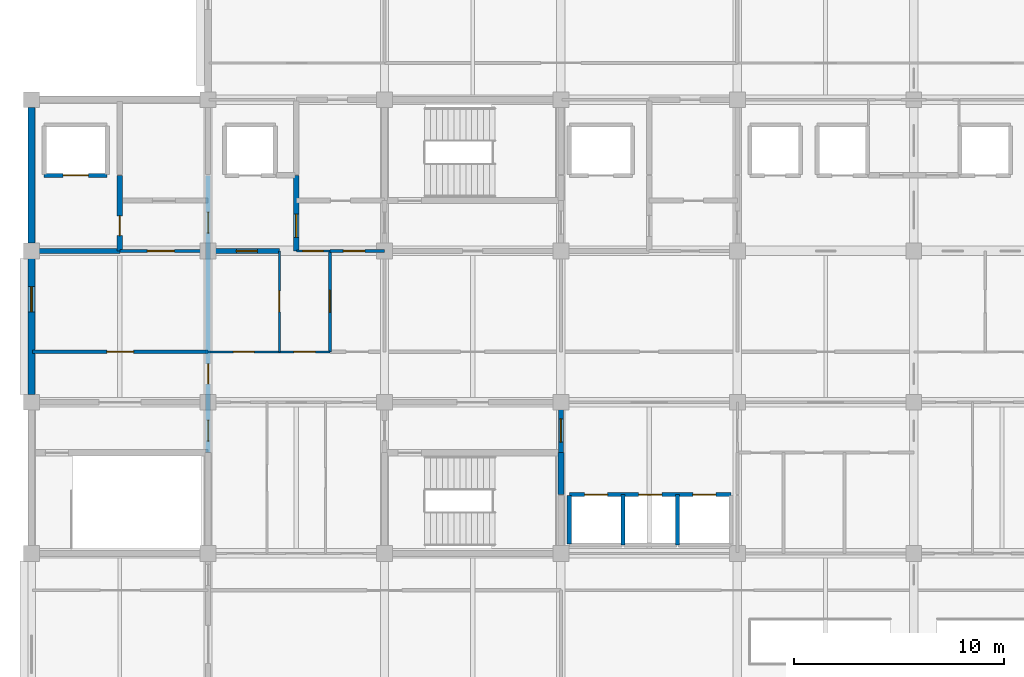
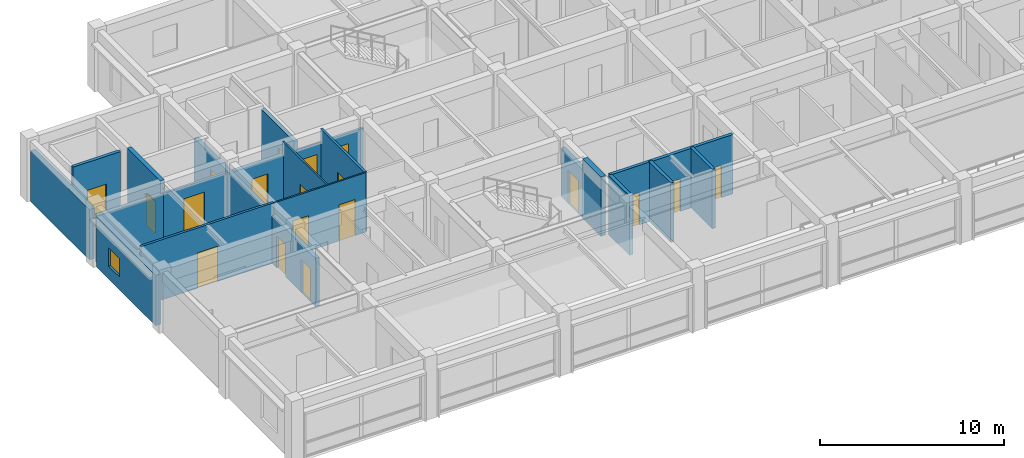
# One storey, part 12 of 23: 21 walls, 19 doors, 1 window, 20 openings.
"""IFC4 building model written with IfcOpenShell, lengths in metres."""

import ifcopenshell
import ifcopenshell.guid

model = None  # the IFC model being written
_history = None  # IfcOwnerHistory: only IFC2X3 demands one
_inside = {}  # id of a spatial element -> (the spatial element, [elements in it])
_under = {}  # id of a project, library or spatial element -> (it, [spatial elements below it])
_declared = {}  # id of a project -> (the project, [libraries it declares])
_typed = {}  # id of a type object -> (the type object, [elements of that type])
_made_of = {}  # id of a material, layer set ... -> (it, [elements and type objects made of it])


def new_model(schema):
    """Start an empty IFC model of exactly this schema.

    Asked for "IFC4X3", IfcOpenShell would pick the latest addendum, in which some entities
    have other attributes; the version numbers below select the first issue.
    IFC2X3 requires an IfcOwnerHistory on every rooted entity: one is made here for all.
    """
    global model, _history
    if schema == "IFC4X3":
        model = ifcopenshell.file(schema_version=(4, 3, 0, 0))
    else:
        model = ifcopenshell.file(schema=schema)
    _inside.clear()
    _under.clear()
    _declared.clear()
    _typed.clear()
    _made_of.clear()
    _history = None
    if model.schema == "IFC2X3":
        org = make("IfcOrganization", Name="unknown")
        user = make(
            "IfcPersonAndOrganization",
            ThePerson=make("IfcPerson", FamilyName="unknown"),
            TheOrganization=org,
        )
        app = make(
            "IfcApplication",
            ApplicationDeveloper=org,
            Version="unknown",
            ApplicationFullName="unknown",
            ApplicationIdentifier="unknown",
        )
        _history = make(
            "IfcOwnerHistory",
            OwningUser=user,
            OwningApplication=app,
            ChangeAction="ADDED",
            CreationDate=0,
        )
    return model


def make(cls, **values):
    """One entity of the class cls with the attributes given. An attribute that is None is left unset."""
    return model.create_entity(
        cls, **{name: value for name, value in values.items() if value is not None}
    )


def rooted(cls, **values):
    """An entity with a GlobalId (a new one), such as an element, a storey or a relation."""
    return make(cls, GlobalId=ifcopenshell.guid.new(), OwnerHistory=_history, **values)


def si_unit(unit_type, name, prefix=None):
    """IfcSIUnit, for example si_unit("LENGTHUNIT", "METRE", prefix="MILLI")."""
    return make("IfcSIUnit", UnitType=unit_type, Prefix=prefix, Name=name)


def assignment(units):
    """IfcUnitAssignment: the units of a project."""
    return None if units is None else make("IfcUnitAssignment", Units=units)


def point(xyz):
    """IfcCartesianPoint."""
    return None if xyz is None else make("IfcCartesianPoint", Coordinates=xyz)


def direction(xyz):
    """IfcDirection."""
    return None if xyz is None else make("IfcDirection", DirectionRatios=xyz)


def frame(location, z_axis=None, x_axis=None):
    """IfcAxis2Placement3D, a coordinate frame: its origin and axes. An axis left out is left unset."""
    return make(
        "IfcAxis2Placement3D",
        Location=point(location),
        Axis=direction(z_axis),
        RefDirection=direction(x_axis),
    )


def frame_2d(location, x_axis=None):
    """IfcAxis2Placement2D, a coordinate frame in the plane: its origin and x axis."""
    return make(
        "IfcAxis2Placement2D", Location=point(location), RefDirection=direction(x_axis)
    )


def origin():
    """The frame at (0, 0, 0) with its axes left unset."""
    return frame((0.0, 0.0, 0.0))


def place(relative_to, where):
    """IfcLocalPlacement: puts the frame where relative to a parent placement (None: the world)."""
    return make(
        "IfcLocalPlacement", PlacementRelTo=relative_to, RelativePlacement=where
    )


def context(
    kind, dimensions, precision=None, world=None, true_north=None, identifier=None
):
    """IfcGeometricRepresentationContext, for example the 3D "Model" context."""
    return make(
        "IfcGeometricRepresentationContext",
        ContextIdentifier=identifier,
        ContextType=kind,
        CoordinateSpaceDimension=dimensions,
        Precision=precision,
        WorldCoordinateSystem=world,
        TrueNorth=true_north,
    )


def subcontext(parent, identifier, kind, view, scale=None):
    """IfcGeometricRepresentationSubContext, for example "Body" below "Model"."""
    return make(
        "IfcGeometricRepresentationSubContext",
        ContextIdentifier=identifier,
        ContextType=kind,
        ParentContext=parent,
        TargetScale=scale,
        TargetView=view,
    )


def project(units=None, contexts=None):
    """IfcProject with its units and contexts."""
    return rooted(
        "IfcProject",
        Name="project",
        RepresentationContexts=contexts,
        UnitsInContext=assignment(units),
    )


def spatial(cls, under=None, at=None, **own):
    """A site, building, storey or space (cls), placed at a placement, below another one or the project."""
    s = rooted(cls, ObjectPlacement=at, **own)
    if under is not None:
        _under.setdefault(under.id(), (under, []))[1].append(s)
    return s


def profile(cls, at=None, kind="AREA", **sizes):
    """A parametric profile (cls). Its sizes go by their IFC names, for example OverallWidth=200.0."""
    return make(cls, ProfileType=kind, Position=at, **sizes)


def rectangle(**sizes):
    """IfcRectangleProfileDef."""
    return profile("IfcRectangleProfileDef", **sizes)


def extrude(swept, where, along, depth):
    """IfcExtrudedAreaSolid: the profile swept, set in the frame where, extruded along a direction by depth."""
    return make(
        "IfcExtrudedAreaSolid",
        SweptArea=swept,
        Position=where,
        ExtrudedDirection=direction(along),
        Depth=depth,
    )


def shape(context_of_items, identifier, shape_type, items):
    """IfcShapeRepresentation: the items that make up one representation, for example the "Body"."""
    return make(
        "IfcShapeRepresentation",
        ContextOfItems=context_of_items,
        RepresentationIdentifier=identifier,
        RepresentationType=shape_type,
        Items=items,
    )


def material(Name=None, Category=None):
    """IfcMaterial."""
    return make("IfcMaterial", Name=Name, Category=Category)


def layer(
    of_material, thickness, ventilated=None, Name=None, Category=None, Priority=None
):
    """IfcMaterialLayer: one layer of a wall or slab, of a material (None: an air gap)."""
    return make(
        "IfcMaterialLayer",
        Material=of_material,
        LayerThickness=thickness,
        IsVentilated=ventilated,
        Name=Name,
        Category=Category,
        Priority=Priority,
    )


def layer_set(layers, Name=None):
    """IfcMaterialLayerSet."""
    return make("IfcMaterialLayerSet", MaterialLayers=layers, LayerSetName=Name)


def made_of(thing, what):
    """Note that an element or type object is made of a material, layer set ...; save() writes the relation."""
    if what is not None:
        _made_of.setdefault(what.id(), (what, []))[1].append(thing)
    return thing


def type_object(cls, material=None, **own):
    """A type object (cls), such as IfcWallType, which elements share."""
    return made_of(rooted(cls, **own), material)


def element(
    cls,
    number,
    at=None,
    inside=None,
    cuts=None,
    type_object=None,
    material=None,
    context=None,
    identifier="Body",
    shape_type=None,
    held_by="IfcProductDefinitionShape",
    body=None,
    shapes=None,
    **own,
):
    """One element of the class cls, such as IfcWall. Its Tag is "e" and its number.

    at: its placement. inside: the storey or other place that contains it. cuts: it is an
    opening in that element (IfcRelVoidsElement). A single representation is given by context,
    identifier, shape_type and body (its items); several are given by shapes. held_by: the class
    of the entity that holds the representations. save() writes the other relations.
    """
    e = rooted(cls, Tag="e%d" % number, ObjectPlacement=at, **own)
    if body is not None:
        shapes = [shape(context, identifier, shape_type, body)]
    if shapes is not None:
        e.Representation = make(held_by, Representations=shapes)
    if inside is not None:
        _inside.setdefault(inside.id(), (inside, []))[1].append(e)
    if cuts is not None:
        rooted(
            "IfcRelVoidsElement", RelatingBuildingElement=cuts, RelatedOpeningElement=e
        )
    if type_object is not None:
        _typed.setdefault(type_object.id(), (type_object, []))[1].append(e)
    return made_of(e, material)


def fill(opening, filler):
    """IfcRelFillsElement: the door or window that sits in an opening."""
    return rooted(
        "IfcRelFillsElement",
        RelatingOpeningElement=opening,
        RelatedBuildingElement=filler,
    )


def aggregate(whole, parts):
    """IfcRelAggregates: a whole, such as a stair, and the parts it consists of."""
    return rooted("IfcRelAggregates", RelatingObject=whole, RelatedObjects=parts)


def save(model, path):
    """Write the relations noted so far, then the file.

    IfcRelAggregates (storeys below a building ...), IfcRelContainedInSpatialStructure (elements
    in a storey), IfcRelDefinesByType, IfcRelAssociatesMaterial and IfcRelDeclares: one each for
    every whole, place, type object, material and project.
    """
    for whole, parts in _under.values():
        aggregate(whole, parts)
    for where, things in _inside.values():
        rooted(
            "IfcRelContainedInSpatialStructure",
            RelatedElements=things,
            RelatingStructure=where,
        )
    for kind, things in _typed.values():
        rooted("IfcRelDefinesByType", RelatedObjects=things, RelatingType=kind)
    for what, things in _made_of.values():
        rooted("IfcRelAssociatesMaterial", RelatedObjects=things, RelatingMaterial=what)
    for by, libraries in _declared.values():
        rooted("IfcRelDeclares", RelatingContext=by, RelatedDefinitions=libraries)
    model.write(path)


model = new_model("IFC4")

# Units and contexts
model_context = context("Model", 3, precision=1e-05, world=origin(), true_north=direction((0.0, 1.0)))
body_context = subcontext(model_context, "Body", "Model", "MODEL_VIEW")
ifc_project = project(units=[si_unit("LENGTHUNIT", "METRE"), si_unit("AREAUNIT", "SQUARE_METRE"), si_unit("VOLUMEUNIT", "CUBIC_METRE"), si_unit("PLANEANGLEUNIT", "RADIAN"), si_unit("MASSUNIT", "GRAM", prefix="KILO")], contexts=[model_context])

# Site, building, storey
site_placement = place(None, origin())
site = spatial("IfcSite", under=ifc_project, at=site_placement, CompositionType="ELEMENT")
building_placement = place(site_placement, origin())
building = spatial("IfcBuilding", under=site, at=building_placement, Name="Chengyuan Square Courthouse", CompositionType="ELEMENT")
storey_placement = place(building_placement, frame((0.0, 0.0, 43.5)))
storey = spatial("IfcBuildingStorey", under=building, at=storey_placement, Name="L10", CompositionType="ELEMENT", Elevation=43.5)

# Wall, opening, window
ifc_material_1 = material(Name="Concrete C40", Category="concrete")
ifc_layer_1 = layer(ifc_material_1, 0.320068359375)
ifc_layer_set_1 = layer_set([ifc_layer_1], Name="Concrete C40")
wall_type_1 = type_object("IfcWallType", Name="WL-EW3", PredefinedType="STANDARD", material=ifc_layer_set_1)
wall_1_placement = place(storey_placement, frame((42.0, 93.969970703125, 0.0), z_axis=(0.0, 0.0, 1.0), x_axis=(0.0, 1.0, 0.0)))
wall_1 = element("IfcWall", 1, at=wall_1_placement, inside=storey, type_object=wall_type_1, Name="Exterior Wall WL-L10-E431", PredefinedType="STANDARD", context=body_context, shape_type="SweptSolid", body=[
    extrude(rectangle(XDim=6.4599609375, YDim=0.320068359375, at=frame_2d((3.22998046875, 0.0))), origin(), (0.0, 0.0, 1.0), 3.35009765625),
])
opening_1_placement = place(wall_1_placement, frame((3.929931640625, 0.0, 0.85009765625)))
opening_1 = element("IfcOpeningElement", 2, at=opening_1_placement, cuts=wall_1, Name="Opening WN-170", PredefinedType="OPENING", context=body_context, shape_type="SweptSolid", body=[
    extrude(rectangle(XDim=1.199951171875, YDim=1.199951171875, at=frame_2d((0.60009765625, 0.60009765625))), frame((0.0, 0.172119140625, 0.0), z_axis=(0.0, -1.0, 0.0), x_axis=(1.0, 0.0, 0.0)), (0.0, 0.0, 1.0), 0.343994140625),
])
ifc_material_2 = material(Name="Thermally Broken Aluminium Triple Low-E Window", Category="aluminium")
window_type = type_object("IfcWindowType", Name="WT-13", PartitioningType="SINGLE_PANEL", PredefinedType="WINDOW", material=ifc_material_2)
window_placement = place(opening_1_placement, origin())
window = element("IfcWindow", 3, at=window_placement, inside=storey, type_object=window_type, Name="Facade Window WN-170", OverallHeight=1.199951171875, OverallWidth=1.199951171875, PartitioningType="SINGLE_PANEL", PredefinedType="WINDOW", context=body_context, shape_type="SweptSolid", body=[
    extrude(rectangle(XDim=1.199951171875, YDim=1.199951171875, at=frame_2d((0.60009765625, 0.60009765625))), frame((0.0, 0.030029296875, 0.0), z_axis=(0.0, -1.0, 0.0), x_axis=(1.0, 0.0, 0.0)), (0.0, 0.0, 1.0), 0.06005859375),
])
fill(opening_1, window)

# Walls
wall_2_placement = place(storey_placement, frame((42.0, 101.169921875, 0.0), z_axis=(0.0, 0.0, 1.0), x_axis=(0.0, 1.0, 0.0)))
element("IfcWall", 4, at=wall_2_placement, inside=storey, type_object=wall_type_1, Name="Exterior Wall WL-L10-E433", PredefinedType="STANDARD", context=body_context, shape_type="SweptSolid", body=[
    extrude(rectangle(XDim=6.4599609375, YDim=0.320068359375, at=frame_2d((3.22998046875, 0.0))), origin(), (0.0, 0.0, 1.0), 3.35009765625),
])
ifc_layer_2 = layer(ifc_material_1, 0.25)
ifc_layer_set_2 = layer_set([ifc_layer_2], Name="Concrete C40")
wall_type_2 = type_object("IfcWallType", Name="WL-FW1", PredefinedType="STANDARD", material=ifc_layer_set_2)
wall_3_placement = place(storey_placement, frame((42.0400390625, 100.800048828125, 0.0), z_axis=(0.0, 0.0, 1.0), x_axis=(1.0, 0.0, 0.0)))
element("IfcWall", 5, at=wall_3_placement, inside=storey, type_object=wall_type_2, Name="Interior Wall WL-L10-I3337", PredefinedType="STANDARD", context=body_context, shape_type="SweptSolid", body=[
    extrude(rectangle(XDim=4.159912109375, YDim=0.25, at=frame_2d((2.080078125, 0.0))), origin(), (0.0, 0.0, 1.0), 3.14990234375),
])

# Wall, opening, door
wall_4_placement = place(storey_placement, frame((50.39990234375, 100.800048828125, 0.0), z_axis=(0.0, 0.0, 1.0), x_axis=(1.0, 0.0, 0.0)))
wall_4 = element("IfcWall", 6, at=wall_4_placement, inside=storey, type_object=wall_type_2, Name="Interior Wall WL-L10-I3339", PredefinedType="STANDARD", context=body_context, shape_type="SweptSolid", body=[
    extrude(rectangle(XDim=3.400146484375, YDim=0.25, at=frame_2d((1.7001953125, 0.0))), origin(), (0.0, 0.0, 1.0), 3.10009765625),
])
opening_2_placement = place(wall_4_placement, frame((1.347412109375, 0.0, 0.0)))
opening_2 = element("IfcOpeningElement", 7, at=opening_2_placement, cuts=wall_4, Name="Opening DR-2823", PredefinedType="OPENING", context=body_context, shape_type="SweptSolid", body=[
    extrude(rectangle(XDim=1.0, YDim=2.199951171875, at=frame_2d((0.5, 1.10009765625))), frame((0.0, 0.136962890625, 0.0), z_axis=(0.0, -1.0, 0.0), x_axis=(1.0, 0.0, 0.0)), (0.0, 0.0, 1.0), 0.27392578125),
])
ifc_material_3 = material(Name="Steel Q235B Fire Door", Category="steel")
door_type_1 = type_object("IfcDoorType", Name="DT-11", OperationType="NOTDEFINED", PredefinedType="DOOR", material=ifc_material_3)
door_1_placement = place(opening_2_placement, origin())
door_1 = element("IfcDoor", 8, at=door_1_placement, inside=storey, type_object=door_type_1, Name="Interior Door DR-2823", OperationType="SINGLE_SWING_RIGHT", OverallHeight=2.199951171875, OverallWidth=1.0, PredefinedType="DOOR", context=body_context, shape_type="SweptSolid", body=[
    extrude(rectangle(XDim=1.0, YDim=2.199951171875, at=frame_2d((0.5, 1.10009765625))), frame((0.0, 0.02490234375, 0.0), z_axis=(0.0, -1.0, 0.0), x_axis=(1.0, 0.0, 0.0)), (0.0, 0.0, 1.0), 0.050048828125),
])
fill(opening_2, door_1)

wall_5_placement = place(storey_placement, frame((46.199951171875, 100.800048828125, 0.0), z_axis=(0.0, 0.0, 1.0), x_axis=(0.0, 1.0, 0.0)))
wall_5 = element("IfcWall", 9, at=wall_5_placement, inside=storey, type_object=wall_type_2, Name="Interior Wall WL-L10-I3402", PredefinedType="STANDARD", context=body_context, shape_type="SweptSolid", body=[
    extrude(rectangle(XDim=3.599853515625, YDim=0.25, at=frame_2d((1.7998046875, 0.0))), origin(), (0.0, 0.0, 1.0), 4.0),
])
opening_3_placement = place(wall_5_placement, frame((0.72509765625, 0.0, 0.0)))
opening_3 = element("IfcOpeningElement", 10, at=opening_3_placement, cuts=wall_5, Name="Opening DR-2803", PredefinedType="OPENING", context=body_context, shape_type="SweptSolid", body=[
    extrude(rectangle(XDim=0.949951171875, YDim=2.14990234375, at=frame_2d((0.47509765625, 1.074951171875))), frame((0.0, 0.136962890625, 0.0), z_axis=(0.0, -1.0, 0.0), x_axis=(1.0, 0.0, 0.0)), (0.0, 0.0, 1.0), 0.27392578125),
])
door_type_2 = type_object("IfcDoorType", Name="DT-12", OperationType="NOTDEFINED", PredefinedType="DOOR", material=ifc_material_3)
door_2_placement = place(opening_3_placement, origin())
door_2 = element("IfcDoor", 11, at=door_2_placement, inside=storey, type_object=door_type_2, Name="Interior Door DR-2803", OperationType="SINGLE_SWING_LEFT", OverallHeight=2.14990234375, OverallWidth=0.949951171875, PredefinedType="DOOR", context=body_context, shape_type="SweptSolid", body=[
    extrude(rectangle(XDim=0.949951171875, YDim=2.14990234375, at=frame_2d((0.47509765625, 1.074951171875))), frame((0.0, 0.02490234375, 0.0), z_axis=(0.0, -1.0, 0.0), x_axis=(1.0, 0.0, 0.0)), (0.0, 0.0, 1.0), 0.050048828125),
])
fill(opening_3, door_2)

# Wall, openings, doors
wall_6_placement = place(storey_placement, frame((50.39990234375, 91.199951171875, 0.0), z_axis=(0.0, 0.0, 1.0), x_axis=(0.0, 1.0, 0.0)))
wall_6 = element("IfcWall", 12, at=wall_6_placement, inside=storey, type_object=wall_type_2, Name="Interior Wall WL-L10-I3406", PredefinedType="STANDARD", context=body_context, shape_type="SweptSolid", body=[
    extrude(rectangle(XDim=13.199951171875, YDim=0.25, at=frame_2d((6.60009765625, 0.0))), origin(), (0.0, 0.0, 1.0), 3.199951171875),
])
opening_4_placement = place(wall_6_placement, frame((0.552490234375, 0.0, 0.0)))
opening_4 = element("IfcOpeningElement", 13, at=opening_4_placement, cuts=wall_6, Name="Opening DR-2790", PredefinedType="OPENING", context=body_context, shape_type="SweptSolid", body=[
    extrude(rectangle(XDim=1.0, YDim=2.199951171875, at=frame_2d((0.5, 1.10009765625))), frame((0.0, 0.136962890625, 0.0), z_axis=(0.0, -1.0, 0.0), x_axis=(1.0, 0.0, 0.0)), (0.0, 0.0, 1.0), 0.27392578125),
])
opening_5_placement = place(wall_6_placement, frame((10.447509765625, 0.0, 0.0)))
opening_5 = element("IfcOpeningElement", 14, at=opening_5_placement, cuts=wall_6, Name="Opening DR-2805", PredefinedType="OPENING", context=body_context, shape_type="SweptSolid", body=[
    extrude(rectangle(XDim=1.0, YDim=2.199951171875, at=frame_2d((0.5, 1.10009765625))), frame((0.0, 0.136962890625, 0.0), z_axis=(0.0, -1.0, 0.0), x_axis=(1.0, 0.0, 0.0)), (0.0, 0.0, 1.0), 0.27392578125),
])
opening_6_placement = place(wall_6_placement, frame((3.2724609375, 0.0, 0.0)))
opening_6 = element("IfcOpeningElement", 15, at=opening_6_placement, cuts=wall_6, Name="Opening DR-2839", PredefinedType="OPENING", context=body_context, shape_type="SweptSolid", body=[
    extrude(rectangle(XDim=0.949951171875, YDim=2.14990234375, at=frame_2d((0.47509765625, 1.074951171875))), frame((0.0, 0.136962890625, 0.0), z_axis=(0.0, -1.0, 0.0), x_axis=(1.0, 0.0, 0.0)), (0.0, 0.0, 1.0), 0.27392578125),
])
door_3_placement = place(opening_4_placement, origin())
door_3 = element("IfcDoor", 16, at=door_3_placement, inside=storey, type_object=door_type_1, Name="Interior Door DR-2790", OperationType="SINGLE_SWING_LEFT", OverallHeight=2.199951171875, OverallWidth=1.0, PredefinedType="DOOR", context=body_context, shape_type="SweptSolid", body=[
    extrude(rectangle(XDim=1.0, YDim=2.199951171875, at=frame_2d((0.5, 1.10009765625))), frame((0.0, 0.02490234375, 0.0), z_axis=(0.0, -1.0, 0.0), x_axis=(1.0, 0.0, 0.0)), (0.0, 0.0, 1.0), 0.050048828125),
])
fill(opening_4, door_3)
door_4_placement = place(opening_5_placement, origin())
door_4 = element("IfcDoor", 17, at=door_4_placement, inside=storey, type_object=door_type_1, Name="Interior Door DR-2805", OperationType="SINGLE_SWING_LEFT", OverallHeight=2.199951171875, OverallWidth=1.0, PredefinedType="DOOR", context=body_context, shape_type="SweptSolid", body=[
    extrude(rectangle(XDim=1.0, YDim=2.199951171875, at=frame_2d((0.5, 1.10009765625))), frame((0.0, 0.02490234375, 0.0), z_axis=(0.0, -1.0, 0.0), x_axis=(1.0, 0.0, 0.0)), (0.0, 0.0, 1.0), 0.050048828125),
])
fill(opening_5, door_4)
door_5_placement = place(opening_6_placement, origin())
door_5 = element("IfcDoor", 18, at=door_5_placement, inside=storey, type_object=door_type_2, Name="Interior Door DR-2839", OperationType="SINGLE_SWING_LEFT", OverallHeight=2.14990234375, OverallWidth=0.949951171875, PredefinedType="DOOR", context=body_context, shape_type="SweptSolid", body=[
    extrude(rectangle(XDim=0.949951171875, YDim=2.14990234375, at=frame_2d((0.47509765625, 1.074951171875))), frame((0.0, 0.02490234375, 0.0), z_axis=(0.0, -1.0, 0.0), x_axis=(1.0, 0.0, 0.0)), (0.0, 0.0, 1.0), 0.050048828125),
])
fill(opening_6, door_5)

# Wall, opening, door
wall_7_placement = place(storey_placement, frame((54.60009765625, 100.800048828125, 0.0), z_axis=(0.0, 0.0, 1.0), x_axis=(0.0, 1.0, 0.0)))
wall_7 = element("IfcWall", 19, at=wall_7_placement, inside=storey, type_object=wall_type_2, Name="Interior Wall WL-L10-I3412", PredefinedType="STANDARD", context=body_context, shape_type="SweptSolid", body=[
    extrude(rectangle(XDim=3.599853515625, YDim=0.25, at=frame_2d((1.7998046875, 0.0))), origin(), (0.0, 0.0, 1.0), 3.64990234375),
])
opening_7_placement = place(wall_7_placement, frame((0.64990234375, 0.0, 0.0)))
opening_7 = element("IfcOpeningElement", 20, at=opening_7_placement, cuts=wall_7, Name="Opening DR-2822", PredefinedType="OPENING", context=body_context, shape_type="SweptSolid", body=[
    extrude(rectangle(XDim=1.10009765625, YDim=2.199951171875, at=frame_2d((0.550048828125, 1.10009765625))), frame((0.0, 0.136962890625, 0.0), z_axis=(0.0, -1.0, 0.0), x_axis=(1.0, 0.0, 0.0)), (0.0, 0.0, 1.0), 0.27392578125),
])
door_type_3 = type_object("IfcDoorType", Name="DT-10", OperationType="NOTDEFINED", PredefinedType="DOOR", material=ifc_material_3)
door_6_placement = place(opening_7_placement, origin())
door_6 = element("IfcDoor", 21, at=door_6_placement, inside=storey, type_object=door_type_3, Name="Interior Door DR-2822", OperationType="SINGLE_SWING_LEFT", OverallHeight=2.199951171875, OverallWidth=1.10009765625, PredefinedType="DOOR", context=body_context, shape_type="SweptSolid", body=[
    extrude(rectangle(XDim=1.10009765625, YDim=2.199951171875, at=frame_2d((0.550048828125, 1.10009765625))), frame((0.0, 0.02490234375, 0.0), z_axis=(0.0, -1.0, 0.0), x_axis=(1.0, 0.0, 0.0)), (0.0, 0.0, 1.0), 0.050048828125),
])
fill(opening_7, door_6)

wall_8_placement = place(storey_placement, frame((67.199951171875, 91.199951171875, 0.0), z_axis=(0.0, 0.0, 1.0), x_axis=(0.0, 1.0, 0.0)))
wall_8 = element("IfcWall", 22, at=wall_8_placement, inside=storey, type_object=wall_type_2, Name="Interior Wall WL-L10-I3425", PredefinedType="STANDARD", context=body_context, shape_type="SweptSolid", body=[
    extrude(rectangle(XDim=2.400146484375, YDim=0.25, at=frame_2d((1.2001953125, 0.0))), origin(), (0.0, 0.0, 1.0), 3.199951171875),
])
opening_8_placement = place(wall_8_placement, frame((0.50244140625, 0.0, 0.0)))
opening_8 = element("IfcOpeningElement", 23, at=opening_8_placement, cuts=wall_8, Name="Opening DR-2783", PredefinedType="OPENING", context=body_context, shape_type="SweptSolid", body=[
    extrude(rectangle(XDim=1.10009765625, YDim=2.199951171875, at=frame_2d((0.550048828125, 1.10009765625))), frame((0.0, 0.136962890625, 0.0), z_axis=(0.0, -1.0, 0.0), x_axis=(1.0, 0.0, 0.0)), (0.0, 0.0, 1.0), 0.27392578125),
])
door_7_placement = place(opening_8_placement, origin())
door_7 = element("IfcDoor", 24, at=door_7_placement, inside=storey, type_object=door_type_3, Name="Interior Door DR-2783", OperationType="SINGLE_SWING_LEFT", OverallHeight=2.199951171875, OverallWidth=1.10009765625, PredefinedType="DOOR", context=body_context, shape_type="SweptSolid", body=[
    extrude(rectangle(XDim=1.10009765625, YDim=2.199951171875, at=frame_2d((0.550048828125, 1.10009765625))), frame((0.0, 0.02490234375, 0.0), z_axis=(0.0, -1.0, 0.0), x_axis=(1.0, 0.0, 0.0)), (0.0, 0.0, 1.0), 0.050048828125),
])
fill(opening_8, door_7)

ifc_material_4 = material(Name="Deliberation Room Sound-Insulated Partition")
ifc_layer_3 = layer(ifc_material_4, 0.14990234375)
ifc_layer_set_3 = layer_set([ifc_layer_3], Name="Deliberation Room Sound-Insulated Partition")
wall_type_3 = type_object("IfcWallType", Name="WL-PT3", PredefinedType="STANDARD", material=ifc_layer_set_3)
wall_9_placement = place(storey_placement, frame((42.0400390625, 96.0, 0.0), z_axis=(0.0, 0.0, 1.0), x_axis=(1.0, 0.0, 0.0)))
wall_9 = element("IfcWall", 25, at=wall_9_placement, inside=storey, type_object=wall_type_3, Name="Interior Wall WL-L10-I3330", PredefinedType="STANDARD", context=body_context, shape_type="SweptSolid", body=[
    extrude(rectangle(XDim=8.35986328125, YDim=0.14990234375, at=frame_2d((4.179931640625, 0.0))), origin(), (0.0, 0.0, 1.0), 4.0),
])
opening_9_placement = place(wall_9_placement, frame((3.5400390625, 0.0, 0.0)))
opening_9 = element("IfcOpeningElement", 26, at=opening_9_placement, cuts=wall_9, Name="Opening DR-2840", PredefinedType="OPENING", context=body_context, shape_type="SweptSolid", body=[
    extrude(rectangle(XDim=1.280029296875, YDim=2.35009765625, at=frame_2d((0.64013671875, 1.175048828125))), frame((0.0, 0.0869140625, 0.0), z_axis=(0.0, -1.0, 0.0), x_axis=(1.0, 0.0, 0.0)), (0.0, 0.0, 1.0), 0.173828125),
])
ifc_material_5 = material(Name="Acoustic Solid-Core Timber Door", Category="wood")
door_type_4 = type_object("IfcDoorType", Name="DT-38", OperationType="NOTDEFINED", PredefinedType="DOOR", material=ifc_material_5)
door_8_placement = place(opening_9_placement, origin())
door_8 = element("IfcDoor", 27, at=door_8_placement, inside=storey, type_object=door_type_4, Name="Interior Door DR-2840", OperationType="SINGLE_SWING_RIGHT", OverallHeight=2.35009765625, OverallWidth=1.280029296875, PredefinedType="DOOR", context=body_context, shape_type="SweptSolid", body=[
    extrude(rectangle(XDim=1.280029296875, YDim=2.35009765625, at=frame_2d((0.64013671875, 1.175048828125))), frame((0.0, 0.02490234375, 0.0), z_axis=(0.0, -1.0, 0.0), x_axis=(1.0, 0.0, 0.0)), (0.0, 0.0, 1.0), 0.050048828125),
])
fill(opening_9, door_8)

wall_10_placement = place(storey_placement, frame((46.199951171875, 100.800048828125, 0.0), z_axis=(0.0, 0.0, 1.0), x_axis=(1.0, 0.0, 0.0)))
wall_10 = element("IfcWall", 28, at=wall_10_placement, inside=storey, type_object=wall_type_3, Name="Interior Wall WL-L10-I3338", PredefinedType="STANDARD", context=body_context, shape_type="SweptSolid", body=[
    extrude(rectangle(XDim=4.199951171875, YDim=0.14990234375, at=frame_2d((2.10009765625, 0.0))), origin(), (0.0, 0.0, 1.0), 3.14990234375),
])
opening_10_placement = place(wall_10_placement, frame((1.3125, 0.0, 0.0)))
opening_10 = element("IfcOpeningElement", 29, at=opening_10_placement, cuts=wall_10, Name="Opening DR-2806", PredefinedType="OPENING", context=body_context, shape_type="SweptSolid", body=[
    extrude(rectangle(XDim=1.280029296875, YDim=2.35009765625, at=frame_2d((0.64013671875, 1.175048828125))), frame((0.0, 0.0869140625, 0.0), z_axis=(0.0, -1.0, 0.0), x_axis=(1.0, 0.0, 0.0)), (0.0, 0.0, 1.0), 0.173828125),
])
door_9_placement = place(opening_10_placement, origin())
door_9 = element("IfcDoor", 30, at=door_9_placement, inside=storey, type_object=door_type_4, Name="Interior Door DR-2806", OperationType="SINGLE_SWING_RIGHT", OverallHeight=2.35009765625, OverallWidth=1.280029296875, PredefinedType="DOOR", context=body_context, shape_type="SweptSolid", body=[
    extrude(rectangle(XDim=1.280029296875, YDim=2.35009765625, at=frame_2d((0.64013671875, 1.175048828125))), frame((0.0, 0.02490234375, 0.0), z_axis=(0.0, -1.0, 0.0), x_axis=(1.0, 0.0, 0.0)), (0.0, 0.0, 1.0), 0.050048828125),
])
fill(opening_10, door_9)

wall_11_placement = place(storey_placement, frame((56.199951171875, 100.800048828125, 0.0), z_axis=(0.0, 0.0, 1.0), x_axis=(1.0, 0.0, 0.0)))
wall_11 = element("IfcWall", 31, at=wall_11_placement, inside=storey, type_object=wall_type_3, Name="Interior Wall WL-L10-I3341", PredefinedType="STANDARD", context=body_context, shape_type="SweptSolid", body=[
    extrude(rectangle(XDim=2.60009765625, YDim=0.14990234375, at=frame_2d((1.300048828125, 0.0))), origin(), (0.0, 0.0, 1.0), 3.10009765625),
])
opening_11_placement = place(wall_11_placement, frame((0.642578125, 0.0, 0.0)))
opening_11 = element("IfcOpeningElement", 32, at=opening_11_placement, cuts=wall_11, Name="Opening DR-2826", PredefinedType="OPENING", context=body_context, shape_type="SweptSolid", body=[
    extrude(rectangle(XDim=1.02001953125, YDim=2.39990234375, at=frame_2d((0.510009765625, 1.199951171875))), frame((0.0, 0.0869140625, 0.0), z_axis=(0.0, -1.0, 0.0), x_axis=(1.0, 0.0, 0.0)), (0.0, 0.0, 1.0), 0.173828125),
])
door_type_5 = type_object("IfcDoorType", Name="DT-41", OperationType="NOTDEFINED", PredefinedType="DOOR", material=ifc_material_5)
door_10_placement = place(opening_11_placement, origin())
door_10 = element("IfcDoor", 33, at=door_10_placement, inside=storey, type_object=door_type_5, Name="Interior Door DR-2826", OperationType="SINGLE_SWING_LEFT", OverallHeight=2.39990234375, OverallWidth=1.02001953125, PredefinedType="DOOR", context=body_context, shape_type="SweptSolid", body=[
    extrude(rectangle(XDim=1.02001953125, YDim=2.39990234375, at=frame_2d((0.510009765625, 1.199951171875))), frame((0.0, 0.02490234375, 0.0), z_axis=(0.0, -1.0, 0.0), x_axis=(1.0, 0.0, 0.0)), (0.0, 0.0, 1.0), 0.050048828125),
])
fill(opening_11, door_10)

wall_12_placement = place(storey_placement, frame((56.199951171875, 96.0, 0.0), z_axis=(0.0, 0.0, 1.0), x_axis=(0.0, 1.0, 0.0)))
wall_12 = element("IfcWall", 34, at=wall_12_placement, inside=storey, type_object=wall_type_3, Name="Interior Wall WL-L10-I3415", PredefinedType="STANDARD", context=body_context, shape_type="SweptSolid", body=[
    extrude(rectangle(XDim=4.800048828125, YDim=0.14990234375, at=frame_2d((2.39990234375, 0.0))), origin(), (0.0, 0.0, 1.0), 3.949951171875),
])
opening_12_placement = place(wall_12_placement, frame((1.8798828125, 0.0, 0.0)))
opening_12 = element("IfcOpeningElement", 35, at=opening_12_placement, cuts=wall_12, Name="Opening DR-2868", PredefinedType="OPENING", context=body_context, shape_type="SweptSolid", body=[
    extrude(rectangle(XDim=1.0400390625, YDim=2.199951171875, at=frame_2d((0.52001953125, 1.10009765625))), frame((0.0, 0.0869140625, 0.0), z_axis=(0.0, -1.0, 0.0), x_axis=(1.0, 0.0, 0.0)), (0.0, 0.0, 1.0), 0.173828125),
])
door_type_6 = type_object("IfcDoorType", Name="DT-32", OperationType="NOTDEFINED", PredefinedType="DOOR", material=ifc_material_5)
door_11_placement = place(opening_12_placement, origin())
door_11 = element("IfcDoor", 36, at=door_11_placement, inside=storey, type_object=door_type_6, Name="Interior Door DR-2868", OperationType="SINGLE_SWING_RIGHT", OverallHeight=2.199951171875, OverallWidth=1.0400390625, PredefinedType="DOOR", context=body_context, shape_type="SweptSolid", body=[
    extrude(rectangle(XDim=1.0400390625, YDim=2.199951171875, at=frame_2d((0.52001953125, 1.10009765625))), frame((0.0, 0.02490234375, 0.0), z_axis=(0.0, -1.0, 0.0), x_axis=(1.0, 0.0, 0.0)), (0.0, 0.0, 1.0), 0.050048828125),
])
fill(opening_12, door_11)

# Wall, openings, doors
ifc_material_6 = material(Name="Gypsum Plasterboard Acoustic Stud Partition")
ifc_layer_4 = layer(ifc_material_6, 0.10009765625)
ifc_layer_set_4 = layer_set([ifc_layer_4], Name="Gypsum Plasterboard Acoustic Stud Partition")
wall_type_4 = type_object("IfcWallType", Name="WL-PT6", PredefinedType="STANDARD", material=ifc_layer_set_4)
wall_13_placement = place(storey_placement, frame((50.39990234375, 96.0, 0.0), z_axis=(0.0, 0.0, 1.0), x_axis=(1.0, 0.0, 0.0)))
wall_13 = element("IfcWall", 37, at=wall_13_placement, inside=storey, type_object=wall_type_4, Name="Interior Wall WL-L10-I3331", PredefinedType="STANDARD", context=body_context, shape_type="SweptSolid", body=[
    extrude(rectangle(XDim=5.800048828125, YDim=0.10009765625, at=frame_2d((2.89990234375, 0.0))), origin(), (0.0, 0.0, 1.0), 3.949951171875),
])
opening_13_placement = place(wall_13_placement, frame((1.2099609375, 0.0, 0.0)))
opening_13 = element("IfcOpeningElement", 38, at=opening_13_placement, cuts=wall_13, Name="Opening DR-2842", PredefinedType="OPENING", context=body_context, shape_type="SweptSolid", body=[
    extrude(rectangle(XDim=0.97998046875, YDim=2.35009765625, at=frame_2d((0.489990234375, 1.175048828125))), frame((0.0, 0.06201171875, 0.0), z_axis=(0.0, -1.0, 0.0), x_axis=(1.0, 0.0, 0.0)), (0.0, 0.0, 1.0), 0.1240234375),
])
opening_14_placement = place(wall_13_placement, frame((4.090087890625, 0.0, 0.0)))
opening_14 = element("IfcOpeningElement", 39, at=opening_14_placement, cuts=wall_13, Name="Opening DR-2843", PredefinedType="OPENING", context=body_context, shape_type="SweptSolid", body=[
    extrude(rectangle(XDim=1.02001953125, YDim=2.39990234375, at=frame_2d((0.510009765625, 1.199951171875))), frame((0.0, 0.06201171875, 0.0), z_axis=(0.0, -1.0, 0.0), x_axis=(1.0, 0.0, 0.0)), (0.0, 0.0, 1.0), 0.1240234375),
])
door_type_7 = type_object("IfcDoorType", Name="DT-40", OperationType="NOTDEFINED", PredefinedType="DOOR", material=ifc_material_5)
door_12_placement = place(opening_13_placement, origin())
door_12 = element("IfcDoor", 40, at=door_12_placement, inside=storey, type_object=door_type_7, Name="Interior Door DR-2842", OperationType="SINGLE_SWING_RIGHT", OverallHeight=2.35009765625, OverallWidth=0.97998046875, PredefinedType="DOOR", context=body_context, shape_type="SweptSolid", body=[
    extrude(rectangle(XDim=0.97998046875, YDim=2.35009765625, at=frame_2d((0.489990234375, 1.175048828125))), frame((0.0, 0.02490234375, 0.0), z_axis=(0.0, -1.0, 0.0), x_axis=(1.0, 0.0, 0.0)), (0.0, 0.0, 1.0), 0.050048828125),
])
fill(opening_13, door_12)
door_13_placement = place(opening_14_placement, origin())
door_13 = element("IfcDoor", 41, at=door_13_placement, inside=storey, type_object=door_type_5, Name="Interior Door DR-2843", OperationType="SINGLE_SWING_LEFT", OverallHeight=2.39990234375, OverallWidth=1.02001953125, PredefinedType="DOOR", context=body_context, shape_type="SweptSolid", body=[
    extrude(rectangle(XDim=1.02001953125, YDim=2.39990234375, at=frame_2d((0.510009765625, 1.199951171875))), frame((0.0, 0.02490234375, 0.0), z_axis=(0.0, -1.0, 0.0), x_axis=(1.0, 0.0, 0.0)), (0.0, 0.0, 1.0), 0.050048828125),
])
fill(opening_14, door_13)

# Wall, opening, door
wall_14_placement = place(storey_placement, frame((54.60009765625, 100.800048828125, 0.0), z_axis=(0.0, 0.0, 1.0), x_axis=(1.0, 0.0, 0.0)))
wall_14 = element("IfcWall", 42, at=wall_14_placement, inside=storey, type_object=wall_type_4, Name="Interior Wall WL-L10-I3340", PredefinedType="STANDARD", context=body_context, shape_type="SweptSolid", body=[
    extrude(rectangle(XDim=1.599853515625, YDim=0.10009765625, at=frame_2d((0.7998046875, 0.0))), origin(), (0.0, 0.0, 1.0), 3.10009765625),
])
opening_15_placement = place(wall_14_placement, frame((0.31005859375, 0.0, 0.0)))
opening_15 = element("IfcOpeningElement", 43, at=opening_15_placement, cuts=wall_14, Name="Opening DR-2825", PredefinedType="OPENING", context=body_context, shape_type="SweptSolid", body=[
    extrude(rectangle(XDim=0.97998046875, YDim=2.35009765625, at=frame_2d((0.489990234375, 1.175048828125))), frame((0.0, 0.06201171875, 0.0), z_axis=(0.0, -1.0, 0.0), x_axis=(1.0, 0.0, 0.0)), (0.0, 0.0, 1.0), 0.1240234375),
])
door_14_placement = place(opening_15_placement, origin())
door_14 = element("IfcDoor", 44, at=door_14_placement, inside=storey, type_object=door_type_7, Name="Interior Door DR-2825", OperationType="SINGLE_SWING_RIGHT", OverallHeight=2.35009765625, OverallWidth=0.97998046875, PredefinedType="DOOR", context=body_context, shape_type="SweptSolid", body=[
    extrude(rectangle(XDim=0.97998046875, YDim=2.35009765625, at=frame_2d((0.489990234375, 1.175048828125))), frame((0.0, 0.02490234375, 0.0), z_axis=(0.0, -1.0, 0.0), x_axis=(1.0, 0.0, 0.0)), (0.0, 0.0, 1.0), 0.050048828125),
])
fill(opening_15, door_14)

wall_15_placement = place(storey_placement, frame((53.800048828125, 96.0, 0.0), z_axis=(0.0, 0.0, 1.0), x_axis=(0.0, 1.0, 0.0)))
wall_15 = element("IfcWall", 45, at=wall_15_placement, inside=storey, type_object=wall_type_4, Name="Interior Wall WL-L10-I3411", PredefinedType="STANDARD", context=body_context, shape_type="SweptSolid", body=[
    extrude(rectangle(XDim=4.800048828125, YDim=0.10009765625, at=frame_2d((2.39990234375, 0.0))), origin(), (0.0, 0.0, 1.0), 3.949951171875),
])
opening_16_placement = place(wall_15_placement, frame((1.89990234375, 0.0, 0.0)))
opening_16 = element("IfcOpeningElement", 46, at=opening_16_placement, cuts=wall_15, Name="Opening DR-2867", PredefinedType="OPENING", context=body_context, shape_type="SweptSolid", body=[
    extrude(rectangle(XDim=1.0, YDim=2.25, at=frame_2d((0.5, 1.125))), frame((0.0, 0.06201171875, 0.0), z_axis=(0.0, -1.0, 0.0), x_axis=(1.0, 0.0, 0.0)), (0.0, 0.0, 1.0), 0.1240234375),
])
door_type_8 = type_object("IfcDoorType", Name="DT-31", OperationType="NOTDEFINED", PredefinedType="DOOR", material=ifc_material_5)
door_15_placement = place(opening_16_placement, origin())
door_15 = element("IfcDoor", 47, at=door_15_placement, inside=storey, type_object=door_type_8, Name="Interior Door DR-2867", OperationType="SINGLE_SWING_LEFT", OverallHeight=2.25, OverallWidth=1.0, PredefinedType="DOOR", context=body_context, shape_type="SweptSolid", body=[
    extrude(rectangle(XDim=1.0, YDim=2.25, at=frame_2d((0.5, 1.125))), frame((0.0, 0.02490234375, 0.0), z_axis=(0.0, -1.0, 0.0), x_axis=(1.0, 0.0, 0.0)), (0.0, 0.0, 1.0), 0.050048828125),
])
fill(opening_16, door_15)

# Wall, openings, doors
ifc_material_7 = material(Name="Reinforced Masonry Shaft Enclosure", Category="masonry")
ifc_layer_5 = layer(ifc_material_7, 0.199951171875)
ifc_layer_set_5 = layer_set([ifc_layer_5], Name="Reinforced Masonry Shaft Enclosure")
wall_type_5 = type_object("IfcWallType", Name="WL-SH1", PredefinedType="STANDARD", material=ifc_layer_set_5)
wall_16_placement = place(storey_placement, frame((67.60009765625, 89.199951171875, 0.0), z_axis=(0.0, 0.0, 1.0), x_axis=(1.0, 0.0, 0.0)))
wall_16 = element("IfcWall", 48, at=wall_16_placement, inside=storey, type_object=wall_type_5, Name="Interior Wall WL-L10-I3316", PredefinedType="STANDARD", context=body_context, shape_type="SweptSolid", body=[
    extrude(rectangle(XDim=7.699951171875, YDim=0.199951171875, at=frame_2d((3.85009765625, 0.0))), origin(), (0.0, 0.0, 1.0), 3.949951171875),
])
opening_17_placement = place(wall_16_placement, frame((0.72509765625, 0.0, 0.0)))
opening_17 = element("IfcOpeningElement", 49, at=opening_17_placement, cuts=wall_16, Name="Opening LD-173", PredefinedType="OPENING", context=body_context, shape_type="SweptSolid", body=[
    extrude(rectangle(XDim=1.10009765625, YDim=2.14990234375, at=frame_2d((0.550048828125, 1.074951171875))), frame((0.0, 0.112060546875, 0.0), z_axis=(0.0, -1.0, 0.0), x_axis=(1.0, 0.0, 0.0)), (0.0, 0.0, 1.0), 0.223876953125),
])
opening_18_placement = place(wall_16_placement, frame((3.300048828125, 0.0, 0.0)))
opening_18 = element("IfcOpeningElement", 50, at=opening_18_placement, cuts=wall_16, Name="Opening LD-174", PredefinedType="OPENING", context=body_context, shape_type="SweptSolid", body=[
    extrude(rectangle(XDim=1.10009765625, YDim=2.14990234375, at=frame_2d((0.550048828125, 1.074951171875))), frame((0.0, 0.112060546875, 0.0), z_axis=(0.0, -1.0, 0.0), x_axis=(1.0, 0.0, 0.0)), (0.0, 0.0, 1.0), 0.223876953125),
])
opening_19_placement = place(wall_16_placement, frame((5.875, 0.0, 0.0)))
opening_19 = element("IfcOpeningElement", 51, at=opening_19_placement, cuts=wall_16, Name="Opening LD-175", PredefinedType="OPENING", context=body_context, shape_type="SweptSolid", body=[
    extrude(rectangle(XDim=1.10009765625, YDim=2.14990234375, at=frame_2d((0.550048828125, 1.074951171875))), frame((0.0, 0.112060546875, 0.0), z_axis=(0.0, -1.0, 0.0), x_axis=(1.0, 0.0, 0.0)), (0.0, 0.0, 1.0), 0.223876953125),
])
ifc_material_8 = material(Name="Stainless Steel S30408 Lift Landing Door", Category="steel")
door_type_9 = type_object("IfcDoorType", Name="DT-06", OperationType="DOUBLE_DOOR_SLIDING", PredefinedType="DOOR", material=ifc_material_8)
door_16_placement = place(opening_17_placement, origin())
door_16 = element("IfcDoor", 52, at=door_16_placement, inside=storey, type_object=door_type_9, Name="Lift Landing Door LF-P1 L10", OperationType="DOUBLE_DOOR_SLIDING", OverallHeight=2.14990234375, OverallWidth=1.10009765625, PredefinedType="DOOR", context=body_context, shape_type="SweptSolid", body=[
    extrude(rectangle(XDim=1.10009765625, YDim=2.14990234375, at=frame_2d((0.550048828125, 1.074951171875))), frame((0.0, 0.02490234375, 0.0), z_axis=(0.0, -1.0, 0.0), x_axis=(1.0, 0.0, 0.0)), (0.0, 0.0, 1.0), 0.050048828125),
])
fill(opening_17, door_16)
door_17_placement = place(opening_18_placement, origin())
door_17 = element("IfcDoor", 53, at=door_17_placement, inside=storey, type_object=door_type_9, Name="Lift Landing Door LF-P2 L10", OperationType="DOUBLE_DOOR_SLIDING", OverallHeight=2.14990234375, OverallWidth=1.10009765625, PredefinedType="DOOR", context=body_context, shape_type="SweptSolid", body=[
    extrude(rectangle(XDim=1.10009765625, YDim=2.14990234375, at=frame_2d((0.550048828125, 1.074951171875))), frame((0.0, 0.02490234375, 0.0), z_axis=(0.0, -1.0, 0.0), x_axis=(1.0, 0.0, 0.0)), (0.0, 0.0, 1.0), 0.050048828125),
])
fill(opening_18, door_17)
door_18_placement = place(opening_19_placement, origin())
door_18 = element("IfcDoor", 54, at=door_18_placement, inside=storey, type_object=door_type_9, Name="Lift Landing Door LF-P3 L10", OperationType="DOUBLE_DOOR_SLIDING", OverallHeight=2.14990234375, OverallWidth=1.10009765625, PredefinedType="DOOR", context=body_context, shape_type="SweptSolid", body=[
    extrude(rectangle(XDim=1.10009765625, YDim=2.14990234375, at=frame_2d((0.550048828125, 1.074951171875))), frame((0.0, 0.02490234375, 0.0), z_axis=(0.0, -1.0, 0.0), x_axis=(1.0, 0.0, 0.0)), (0.0, 0.0, 1.0), 0.050048828125),
])
fill(opening_19, door_18)

# Wall, opening, door
wall_17_placement = place(storey_placement, frame((42.60009765625, 104.39990234375, 0.0), z_axis=(0.0, 0.0, 1.0), x_axis=(1.0, 0.0, 0.0)))
wall_17 = element("IfcWall", 55, at=wall_17_placement, inside=storey, type_object=wall_type_5, Name="Interior Wall WL-L10-I3359", PredefinedType="STANDARD", context=body_context, shape_type="SweptSolid", body=[
    extrude(rectangle(XDim=3.0, YDim=0.199951171875, at=frame_2d((1.5, 0.0))), origin(), (0.0, 0.0, 1.0), 4.0),
])
opening_20_placement = place(wall_17_placement, frame((0.89990234375, 0.0, 0.0)))
opening_20 = element("IfcOpeningElement", 56, at=opening_20_placement, cuts=wall_17, Name="Opening LD-167", PredefinedType="OPENING", context=body_context, shape_type="SweptSolid", body=[
    extrude(rectangle(XDim=1.199951171875, YDim=2.14990234375, at=frame_2d((0.60009765625, 1.074951171875))), frame((0.0, 0.112060546875, 0.0), z_axis=(0.0, -1.0, 0.0), x_axis=(1.0, 0.0, 0.0)), (0.0, 0.0, 1.0), 0.223876953125),
])
door_type_10 = type_object("IfcDoorType", Name="DT-05", OperationType="DOUBLE_DOOR_SLIDING", PredefinedType="DOOR", material=ifc_material_8)
door_19_placement = place(opening_20_placement, origin())
door_19 = element("IfcDoor", 57, at=door_19_placement, inside=storey, type_object=door_type_10, Name="Lift Landing Door LF-F3 L10", OperationType="DOUBLE_DOOR_SLIDING", OverallHeight=2.14990234375, OverallWidth=1.199951171875, PredefinedType="DOOR", context=body_context, shape_type="SweptSolid", body=[
    extrude(rectangle(XDim=1.199951171875, YDim=2.14990234375, at=frame_2d((0.60009765625, 1.074951171875))), frame((0.0, 0.02490234375, 0.0), z_axis=(0.0, -1.0, 0.0), x_axis=(1.0, 0.0, 0.0)), (0.0, 0.0, 1.0), 0.050048828125),
])
fill(opening_20, door_19)

# Walls
wall_18_placement = place(storey_placement, frame((67.60009765625, 86.85009765625, 0.0), z_axis=(0.0, 0.0, 1.0), x_axis=(0.0, 1.0, 0.0)))
element("IfcWall", 58, at=wall_18_placement, inside=storey, type_object=wall_type_5, Name="Interior Wall WL-L10-I3430", PredefinedType="STANDARD", context=body_context, shape_type="SweptSolid", body=[
    extrude(rectangle(XDim=2.2998046875, YDim=0.199951171875, at=frame_2d((1.14990234375, 0.0))), origin(), (0.0, 0.0, 1.0), 3.949951171875),
])
for number, where, z_axis, x_axis, name in (
    (59, (70.14990234375, 86.800048828125, 0.0), (0.0, 0.0, 1.0), (0.0, 1.0, 0.0), "Interior Wall WL-L10-I3432"),
    (60, (72.75, 86.800048828125, 0.0), (0.0, 0.0, 1.0), (0.0, 1.0, 0.0), "Interior Wall WL-L10-I3436"),
):
    element("IfcWall", number, at=place(storey_placement, frame(where, z_axis=z_axis, x_axis=x_axis)), inside=storey, type_object=wall_type_5, Name=name, PredefinedType="STANDARD", context=body_context, shape_type="SweptSolid", body=[
        extrude(rectangle(XDim=2.39990234375, YDim=0.199951171875, at=frame_2d((1.199951171875, 0.0))), origin(), (0.0, 0.0, 1.0), 3.949951171875),
    ])
ifc_layer_6 = layer(ifc_material_1, 0.300048828125)
ifc_layer_set_6 = layer_set([ifc_layer_6], Name="Concrete C40")
wall_type_6 = type_object("IfcWallType", Name="WL-SW2", PredefinedType="SHEAR", material=ifc_layer_set_6)
wall_19_placement = place(storey_placement, frame((67.199951171875, 89.199951171875, 0.0), z_axis=(0.0, 0.0, 1.0), x_axis=(0.0, 1.0, 0.0)))
element("IfcWall", 61, at=wall_19_placement, inside=storey, type_object=wall_type_6, Name="Interior Wall WL-L10-I3424", PredefinedType="SHEAR", context=body_context, shape_type="SweptSolid", body=[
    extrude(rectangle(XDim=2.0, YDim=0.300048828125, at=frame_2d((1.0, 0.0))), origin(), (0.0, 0.0, 1.0), 3.949951171875),
])

save(model, "model.ifc")
